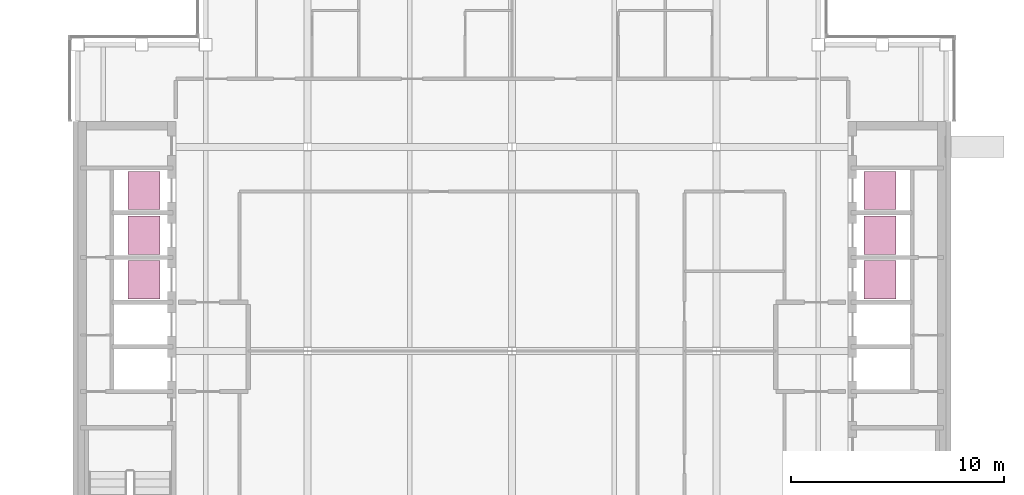
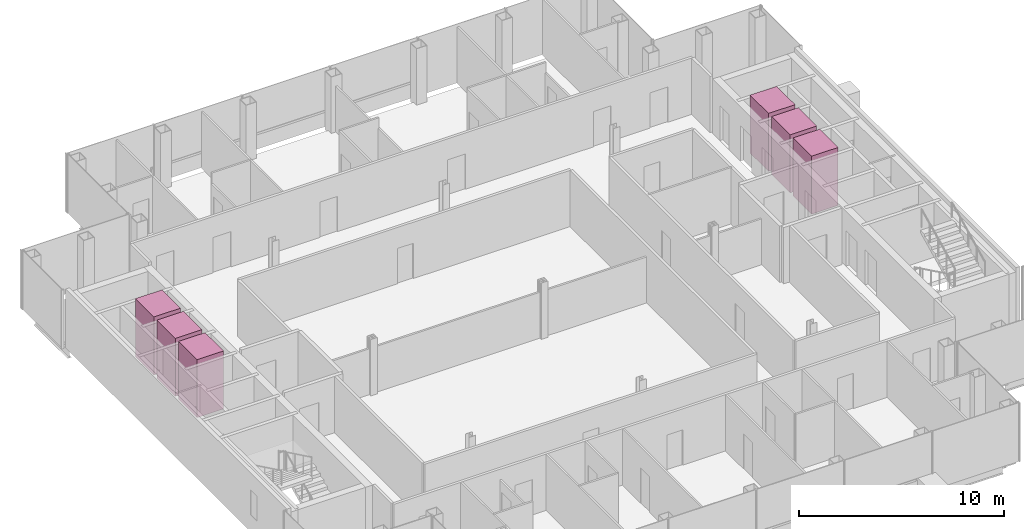
# One storey, part 15 of 15: 6 transport elements.
"""IFC4 building model written with IfcOpenShell, lengths in metres."""

import ifcopenshell
import ifcopenshell.guid

model = None  # the IFC model being written
_history = None  # IfcOwnerHistory: only IFC2X3 demands one
_inside = {}  # id of a spatial element -> (the spatial element, [elements in it])
_under = {}  # id of a project, library or spatial element -> (it, [spatial elements below it])
_declared = {}  # id of a project -> (the project, [libraries it declares])
_typed = {}  # id of a type object -> (the type object, [elements of that type])
_made_of = {}  # id of a material, layer set ... -> (it, [elements and type objects made of it])


def new_model(schema):
    """Start an empty IFC model of exactly this schema.

    Asked for "IFC4X3", IfcOpenShell would pick the latest addendum, in which some entities
    have other attributes; the version numbers below select the first issue.
    IFC2X3 requires an IfcOwnerHistory on every rooted entity: one is made here for all.
    """
    global model, _history
    if schema == "IFC4X3":
        model = ifcopenshell.file(schema_version=(4, 3, 0, 0))
    else:
        model = ifcopenshell.file(schema=schema)
    _inside.clear()
    _under.clear()
    _declared.clear()
    _typed.clear()
    _made_of.clear()
    _history = None
    if model.schema == "IFC2X3":
        org = make("IfcOrganization", Name="unknown")
        user = make(
            "IfcPersonAndOrganization",
            ThePerson=make("IfcPerson", FamilyName="unknown"),
            TheOrganization=org,
        )
        app = make(
            "IfcApplication",
            ApplicationDeveloper=org,
            Version="unknown",
            ApplicationFullName="unknown",
            ApplicationIdentifier="unknown",
        )
        _history = make(
            "IfcOwnerHistory",
            OwningUser=user,
            OwningApplication=app,
            ChangeAction="ADDED",
            CreationDate=0,
        )
    return model


def make(cls, **values):
    """One entity of the class cls with the attributes given. An attribute that is None is left unset."""
    return model.create_entity(
        cls, **{name: value for name, value in values.items() if value is not None}
    )


def rooted(cls, **values):
    """An entity with a GlobalId (a new one), such as an element, a storey or a relation."""
    return make(cls, GlobalId=ifcopenshell.guid.new(), OwnerHistory=_history, **values)


def si_unit(unit_type, name, prefix=None):
    """IfcSIUnit, for example si_unit("LENGTHUNIT", "METRE", prefix="MILLI")."""
    return make("IfcSIUnit", UnitType=unit_type, Prefix=prefix, Name=name)


def assignment(units):
    """IfcUnitAssignment: the units of a project."""
    return None if units is None else make("IfcUnitAssignment", Units=units)


def point(xyz):
    """IfcCartesianPoint."""
    return None if xyz is None else make("IfcCartesianPoint", Coordinates=xyz)


def direction(xyz):
    """IfcDirection."""
    return None if xyz is None else make("IfcDirection", DirectionRatios=xyz)


def frame(location, z_axis=None, x_axis=None):
    """IfcAxis2Placement3D, a coordinate frame: its origin and axes. An axis left out is left unset."""
    return make(
        "IfcAxis2Placement3D",
        Location=point(location),
        Axis=direction(z_axis),
        RefDirection=direction(x_axis),
    )


def frame_2d(location, x_axis=None):
    """IfcAxis2Placement2D, a coordinate frame in the plane: its origin and x axis."""
    return make(
        "IfcAxis2Placement2D", Location=point(location), RefDirection=direction(x_axis)
    )


def origin():
    """The frame at (0, 0, 0) with its axes left unset."""
    return frame((0.0, 0.0, 0.0))


def origin_2d():
    """The frame at (0, 0) in the plane with its x axis left unset."""
    return frame_2d((0.0, 0.0))


def place(relative_to, where):
    """IfcLocalPlacement: puts the frame where relative to a parent placement (None: the world)."""
    return make(
        "IfcLocalPlacement", PlacementRelTo=relative_to, RelativePlacement=where
    )


def context(
    kind, dimensions, precision=None, world=None, true_north=None, identifier=None
):
    """IfcGeometricRepresentationContext, for example the 3D "Model" context."""
    return make(
        "IfcGeometricRepresentationContext",
        ContextIdentifier=identifier,
        ContextType=kind,
        CoordinateSpaceDimension=dimensions,
        Precision=precision,
        WorldCoordinateSystem=world,
        TrueNorth=true_north,
    )


def subcontext(parent, identifier, kind, view, scale=None):
    """IfcGeometricRepresentationSubContext, for example "Body" below "Model"."""
    return make(
        "IfcGeometricRepresentationSubContext",
        ContextIdentifier=identifier,
        ContextType=kind,
        ParentContext=parent,
        TargetScale=scale,
        TargetView=view,
    )


def project(units=None, contexts=None):
    """IfcProject with its units and contexts."""
    return rooted(
        "IfcProject",
        Name="project",
        RepresentationContexts=contexts,
        UnitsInContext=assignment(units),
    )


def spatial(cls, under=None, at=None, **own):
    """A site, building, storey or space (cls), placed at a placement, below another one or the project."""
    s = rooted(cls, ObjectPlacement=at, **own)
    if under is not None:
        _under.setdefault(under.id(), (under, []))[1].append(s)
    return s


def profile(cls, at=None, kind="AREA", **sizes):
    """A parametric profile (cls). Its sizes go by their IFC names, for example OverallWidth=200.0."""
    return make(cls, ProfileType=kind, Position=at, **sizes)


def rectangle(**sizes):
    """IfcRectangleProfileDef."""
    return profile("IfcRectangleProfileDef", **sizes)


def extrude(swept, where, along, depth):
    """IfcExtrudedAreaSolid: the profile swept, set in the frame where, extruded along a direction by depth."""
    return make(
        "IfcExtrudedAreaSolid",
        SweptArea=swept,
        Position=where,
        ExtrudedDirection=direction(along),
        Depth=depth,
    )


def shape(context_of_items, identifier, shape_type, items):
    """IfcShapeRepresentation: the items that make up one representation, for example the "Body"."""
    return make(
        "IfcShapeRepresentation",
        ContextOfItems=context_of_items,
        RepresentationIdentifier=identifier,
        RepresentationType=shape_type,
        Items=items,
    )


def material(Name=None, Category=None):
    """IfcMaterial."""
    return make("IfcMaterial", Name=Name, Category=Category)


def made_of(thing, what):
    """Note that an element or type object is made of a material, layer set ...; save() writes the relation."""
    if what is not None:
        _made_of.setdefault(what.id(), (what, []))[1].append(thing)
    return thing


def type_object(cls, material=None, **own):
    """A type object (cls), such as IfcWallType, which elements share."""
    return made_of(rooted(cls, **own), material)


def element(
    cls,
    number,
    at=None,
    inside=None,
    cuts=None,
    type_object=None,
    material=None,
    context=None,
    identifier="Body",
    shape_type=None,
    held_by="IfcProductDefinitionShape",
    body=None,
    shapes=None,
    **own,
):
    """One element of the class cls, such as IfcWall. Its Tag is "e" and its number.

    at: its placement. inside: the storey or other place that contains it. cuts: it is an
    opening in that element (IfcRelVoidsElement). A single representation is given by context,
    identifier, shape_type and body (its items); several are given by shapes. held_by: the class
    of the entity that holds the representations. save() writes the other relations.
    """
    e = rooted(cls, Tag="e%d" % number, ObjectPlacement=at, **own)
    if body is not None:
        shapes = [shape(context, identifier, shape_type, body)]
    if shapes is not None:
        e.Representation = make(held_by, Representations=shapes)
    if inside is not None:
        _inside.setdefault(inside.id(), (inside, []))[1].append(e)
    if cuts is not None:
        rooted(
            "IfcRelVoidsElement", RelatingBuildingElement=cuts, RelatedOpeningElement=e
        )
    if type_object is not None:
        _typed.setdefault(type_object.id(), (type_object, []))[1].append(e)
    return made_of(e, material)


def aggregate(whole, parts):
    """IfcRelAggregates: a whole, such as a stair, and the parts it consists of."""
    return rooted("IfcRelAggregates", RelatingObject=whole, RelatedObjects=parts)


def save(model, path):
    """Write the relations noted so far, then the file.

    IfcRelAggregates (storeys below a building ...), IfcRelContainedInSpatialStructure (elements
    in a storey), IfcRelDefinesByType, IfcRelAssociatesMaterial and IfcRelDeclares: one each for
    every whole, place, type object, material and project.
    """
    for whole, parts in _under.values():
        aggregate(whole, parts)
    for where, things in _inside.values():
        rooted(
            "IfcRelContainedInSpatialStructure",
            RelatedElements=things,
            RelatingStructure=where,
        )
    for kind, things in _typed.values():
        rooted("IfcRelDefinesByType", RelatedObjects=things, RelatingType=kind)
    for what, things in _made_of.values():
        rooted("IfcRelAssociatesMaterial", RelatedObjects=things, RelatingMaterial=what)
    for by, libraries in _declared.values():
        rooted("IfcRelDeclares", RelatingContext=by, RelatedDefinitions=libraries)
    model.write(path)


model = new_model("IFC4")

# Units and contexts
model_context = context("Model", 3, precision=1e-05, world=origin(), true_north=direction((0.0, 1.0)))
body_context = subcontext(model_context, "Body", "Model", "MODEL_VIEW")
ifc_project = project(units=[si_unit("LENGTHUNIT", "METRE"), si_unit("AREAUNIT", "SQUARE_METRE"), si_unit("VOLUMEUNIT", "CUBIC_METRE"), si_unit("PLANEANGLEUNIT", "RADIAN"), si_unit("MASSUNIT", "GRAM", prefix="KILO")], contexts=[model_context])

# Site, building, storey
site_placement = place(None, origin())
site = spatial("IfcSite", under=ifc_project, at=site_placement, CompositionType="ELEMENT")
building_placement = place(site_placement, origin())
building = spatial("IfcBuilding", under=site, at=building_placement, Name="Cobrizo Arcos Hotel Tower", CompositionType="ELEMENT")
storey_placement = place(building_placement, frame((0.0, 0.0, 258.5)))
storey = spatial("IfcBuildingStorey", under=building, at=storey_placement, Name="L68", CompositionType="ELEMENT", Elevation=258.5)

# Transport elements
ifc_material = material(Name="Stainless steel car", Category="steel")
transport_element_type = type_object("IfcTransportElementType", Name="Lift car High 1.8x1.5", PredefinedType="ELEVATOR", material=ifc_material)
for number, where, z_axis, x_axis, name in (
    (1, (-17.300048828125, 3.35009765625, 0.0), (0.0, 0.0, 1.0), (1.0, 0.0, 0.0), "High-rise passenger lift W1"),
    (2, (-17.300048828125, 5.449951171875, 0.0), (0.0, 0.0, 1.0), (1.0, 0.0, 0.0), "High-rise passenger lift W2"),
    (3, (-17.300048828125, 7.550048828125, 0.0), (0.0, 0.0, 1.0), (1.0, 0.0, 0.0), "High-rise passenger lift W3"),
    (4, (17.300048828125, 3.35009765625, 0.0), (0.0, 0.0, 1.0), (1.0, 0.0, 0.0), "High-rise passenger lift E1"),
    (5, (17.300048828125, 5.449951171875, 0.0), (0.0, 0.0, 1.0), (1.0, 0.0, 0.0), "High-rise passenger lift E2"),
    (6, (17.300048828125, 7.550048828125, 0.0), (0.0, 0.0, 1.0), (1.0, 0.0, 0.0), "High-rise passenger lift E3"),
):
    element("IfcTransportElement", number, at=place(storey_placement, frame(where, z_axis=z_axis, x_axis=x_axis)), inside=storey, type_object=transport_element_type, Name=name, PredefinedType="ELEVATOR", context=body_context, shape_type="SweptSolid", body=[
        extrude(rectangle(XDim=1.5, YDim=1.800048828125, at=origin_2d()), origin(), (0.0, 0.0, 1.0), 3.449951171875),
    ])

save(model, "model.ifc")
